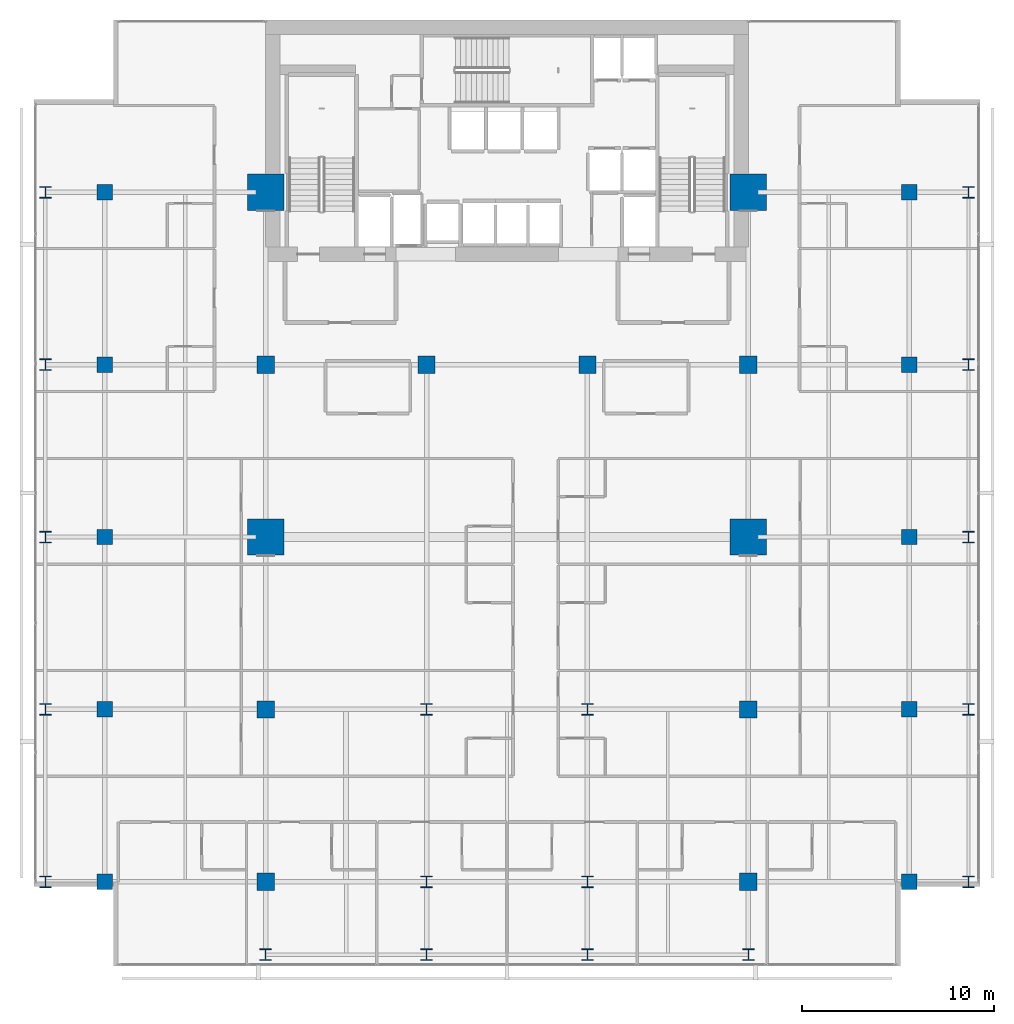
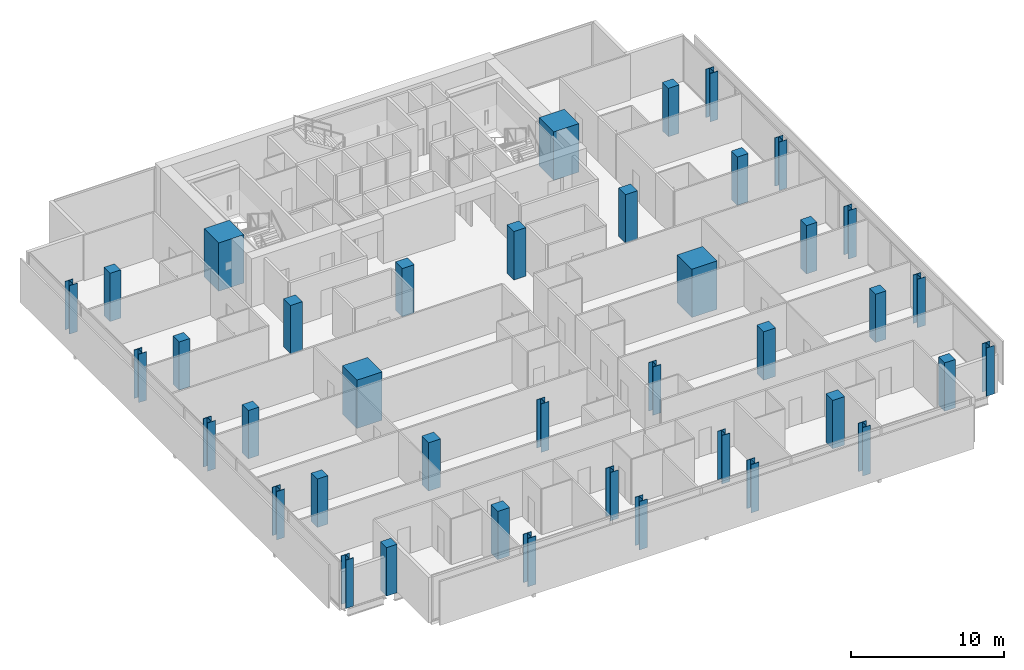
# One storey, part 1 of 33: 40 columns.
"""IFC4 building model written with IfcOpenShell, lengths in metres."""

from ifc_helpers import new_model, si_unit, direction, frame, origin, origin_2d, place, context, subcontext, project, spatial, rectangle, i_section, extrude, material, material_profile, profile_set, type_object, element, save


model = new_model("IFC4")

# Units and contexts
model_context = context("Model", 3, precision=1e-05, world=origin(), true_north=direction((0.0, 1.0)))
body_context = subcontext(model_context, "Body", "Model", "MODEL_VIEW")
ifc_project = project(units=[si_unit("LENGTHUNIT", "METRE"), si_unit("AREAUNIT", "SQUARE_METRE"), si_unit("VOLUMEUNIT", "CUBIC_METRE"), si_unit("PLANEANGLEUNIT", "RADIAN"), si_unit("MASSUNIT", "GRAM", prefix="KILO")], contexts=[model_context])

# Site, building, storey
site_placement = place(None, origin())
site = spatial("IfcSite", under=ifc_project, at=site_placement, CompositionType="ELEMENT")
building_placement = place(site_placement, origin())
building = spatial("IfcBuilding", under=site, at=building_placement, Name="Maruvema Waterfront Hotel and Observation Tower", CompositionType="ELEMENT")
storey_placement = place(building_placement, frame((0.0, 0.0, 154.35009765625)))
storey = spatial("IfcBuildingStorey", under=building, at=storey_placement, Name="L37", CompositionType="ELEMENT", Elevation=154.35009765625)

# Columns
ifc_material_1 = material(Name="Concrete C80/95", Category="concrete")
ifc_material_profile_1 = material_profile(ifc_material_1, rectangle(XDim=1.89990234375, YDim=1.89990234375, at=origin_2d()), Name="MC1900x1900")
ifc_profile_set_1 = profile_set([ifc_material_profile_1], Name="Concrete C80/95")
column_type_1 = type_object("IfcColumnType", Name="Continuous Mega-Column MC1900x1900", PredefinedType="COLUMN", material=ifc_profile_set_1)
for number, where, z_axis, x_axis, name in (
    (1, (25.199951171875, 27.0, 0.0), (0.0, 0.0, 1.0), (1.0, 0.0, 0.0), "L37 Continuous Mega-Column MC-01"),
    (2, (50.39990234375, 27.0, 0.0), (0.0, 0.0, 1.0), (1.0, 0.0, 0.0), "L37 Continuous Mega-Column MC-02"),
    (3, (25.199951171875, 45.0, 0.0), (0.0, 0.0, 1.0), (1.0, 0.0, 0.0), "L37 Continuous Mega-Column MC-03"),
    (4, (50.39990234375, 45.0, 0.0), (0.0, 0.0, 1.0), (1.0, 0.0, 0.0), "L37 Continuous Mega-Column MC-04"),
):
    element("IfcColumn", number, at=place(storey_placement, frame(where, z_axis=z_axis, x_axis=x_axis)), inside=storey, type_object=column_type_1, Name=name, PredefinedType="COLUMN", context=body_context, shape_type="SweptSolid", body=[
        extrude(rectangle(XDim=1.89990234375, YDim=1.89990234375, at=origin_2d()), origin(), (0.0, 0.0, 1.0), 3.849853515625),
    ])
ifc_material_2 = material(Name="Concrete C60/75", Category="concrete")
ifc_material_profile_2 = material_profile(ifc_material_2, rectangle(XDim=0.800048828125, YDim=0.800048828125, at=origin_2d()), Name="RC800x800")
ifc_profile_set_2 = profile_set([ifc_material_profile_2], Name="Concrete C60/75")
column_type_2 = type_object("IfcColumnType", Name="Reinforced Concrete Column RC800x800", PredefinedType="COLUMN", material=ifc_profile_set_2)
for number, where, z_axis, x_axis, name in (
    (5, (16.800048828125, 9.0, 0.0), (0.0, 0.0, 1.0), (1.0, 0.0, 0.0), "L37 Column C-3Y9"),
    (6, (58.800048828125, 9.0, 0.0), (0.0, 0.0, 1.0), (1.0, 0.0, 0.0), "L37 Column C-8Y9"),
    (7, (16.800048828125, 18.0, 0.0), (0.0, 0.0, 1.0), (1.0, 0.0, 0.0), "L37 Column C-3Y18"),
    (8, (58.800048828125, 18.0, 0.0), (0.0, 0.0, 1.0), (1.0, 0.0, 0.0), "L37 Column C-8Y18"),
    (9, (16.800048828125, 27.0, 0.0), (0.0, 0.0, 1.0), (1.0, 0.0, 0.0), "L37 Column C-3Y27"),
    (10, (58.800048828125, 27.0, 0.0), (0.0, 0.0, 1.0), (1.0, 0.0, 0.0), "L37 Column C-8Y27"),
    (11, (16.800048828125, 36.0, 0.0), (0.0, 0.0, 1.0), (1.0, 0.0, 0.0), "L37 Column C-3Y36"),
    (12, (58.800048828125, 36.0, 0.0), (0.0, 0.0, 1.0), (1.0, 0.0, 0.0), "L37 Column C-8Y36"),
    (13, (16.800048828125, 45.0, 0.0), (0.0, 0.0, 1.0), (1.0, 0.0, 0.0), "L37 Column C-3Y45"),
    (14, (58.800048828125, 45.0, 0.0), (0.0, 0.0, 1.0), (1.0, 0.0, 0.0), "L37 Column C-8Y45"),
):
    element("IfcColumn", number, at=place(storey_placement, frame(where, z_axis=z_axis, x_axis=x_axis)), inside=storey, type_object=column_type_2, Name=name, PredefinedType="COLUMN", context=body_context, shape_type="SweptSolid", body=[
        extrude(rectangle(XDim=0.800048828125, YDim=0.800048828125, at=origin_2d()), origin(), (0.0, 0.0, 1.0), 3.849853515625),
    ])
ifc_material_3 = material(Name="Concrete C60/75", Category="concrete")
ifc_material_profile_3 = material_profile(ifc_material_3, rectangle(XDim=0.89990234375, YDim=0.89990234375, at=origin_2d()), Name="RC900x900")
ifc_profile_set_3 = profile_set([ifc_material_profile_3], Name="Concrete C60/75")
column_type_3 = type_object("IfcColumnType", Name="Reinforced Concrete Column RC900x900", PredefinedType="COLUMN", material=ifc_profile_set_3)
for number, where, z_axis, x_axis, name in (
    (15, (25.199951171875, 36.0, 0.0), (0.0, 0.0, 1.0), (1.0, 0.0, 0.0), "L37 Column C-4E"),
    (16, (33.60009765625, 36.0, 0.0), (0.0, 0.0, 1.0), (1.0, 0.0, 0.0), "L37 Column C-5E"),
    (17, (42.0, 36.0, 0.0), (0.0, 0.0, 1.0), (1.0, 0.0, 0.0), "L37 Column C-6E"),
    (18, (50.39990234375, 36.0, 0.0), (0.0, 0.0, 1.0), (1.0, 0.0, 0.0), "L37 Column C-7E"),
    (19, (25.199951171875, 18.0, 0.0), (0.0, 0.0, 1.0), (1.0, 0.0, 0.0), "L37 Column C-4C"),
    (20, (50.39990234375, 18.0, 0.0), (0.0, 0.0, 1.0), (1.0, 0.0, 0.0), "L37 Column C-7C"),
    (21, (25.199951171875, 9.0, 0.0), (0.0, 0.0, 1.0), (1.0, 0.0, 0.0), "L37 Column C-4B"),
    (22, (50.39990234375, 9.0, 0.0), (0.0, 0.0, 1.0), (1.0, 0.0, 0.0), "L37 Column C-7B"),
):
    element("IfcColumn", number, at=place(storey_placement, frame(where, z_axis=z_axis, x_axis=x_axis)), inside=storey, type_object=column_type_3, Name=name, PredefinedType="COLUMN", context=body_context, shape_type="SweptSolid", body=[
        extrude(rectangle(XDim=0.89990234375, YDim=0.89990234375, at=origin_2d()), origin(), (0.0, 0.0, 1.0), 3.849853515625),
    ])
ifc_material_4 = material(Name="Steel ABNT NBR 7007 AR 415 (ASTM A572 Grade 50)", Category="steel")
ifc_material_profile_4 = material_profile(ifc_material_4, i_section(OverallWidth=0.60009765625, OverallDepth=0.60009765625, WebThickness=0.02490234375, FlangeThickness=0.0380859375, at=origin_2d()), Name="CVS600x317")
ifc_profile_set_4 = profile_set([ifc_material_profile_4], Name="Steel ABNT NBR 7007 AR 415 (ASTM A572 Grade 50)")
column_type_4 = type_object("IfcColumnType", Name="Structural Steel Column CVS600x317", PredefinedType="COLUMN", material=ifc_profile_set_4)
for number, where, z_axis, x_axis, name in (
    (23, (33.60009765625, 9.0, 0.0), (0.0, 0.0, 1.0), (1.0, 0.0, 0.0), "L37 Column C-5B"),
    (24, (42.0, 9.0, 0.0), (0.0, 0.0, 1.0), (1.0, 0.0, 0.0), "L37 Column C-6B"),
    (25, (33.60009765625, 18.0, 0.0), (0.0, 0.0, 1.0), (1.0, 0.0, 0.0), "L37 Column C-5C"),
    (26, (42.0, 18.0, 0.0), (0.0, 0.0, 1.0), (1.0, 0.0, 0.0), "L37 Column C-6C"),
    (27, (13.699951171875, 9.0, 0.0), (0.0, 0.0, 1.0), (1.0, 0.0, 0.0), "L37 Column C-Z2W9"),
    (28, (61.89990234375, 9.0, 0.0), (0.0, 0.0, 1.0), (1.0, 0.0, 0.0), "L37 Column C-Z2E9"),
    (29, (13.699951171875, 18.0, 0.0), (0.0, 0.0, 1.0), (1.0, 0.0, 0.0), "L37 Column C-Z2W18"),
    (30, (61.89990234375, 18.0, 0.0), (0.0, 0.0, 1.0), (1.0, 0.0, 0.0), "L37 Column C-Z2E18"),
    (31, (13.699951171875, 27.0, 0.0), (0.0, 0.0, 1.0), (1.0, 0.0, 0.0), "L37 Column C-Z2W27"),
    (32, (61.89990234375, 27.0, 0.0), (0.0, 0.0, 1.0), (1.0, 0.0, 0.0), "L37 Column C-Z2E27"),
    (33, (13.699951171875, 36.0, 0.0), (0.0, 0.0, 1.0), (1.0, 0.0, 0.0), "L37 Column C-Z2W36"),
    (34, (61.89990234375, 36.0, 0.0), (0.0, 0.0, 1.0), (1.0, 0.0, 0.0), "L37 Column C-Z2E36"),
    (35, (13.699951171875, 45.0, 0.0), (0.0, 0.0, 1.0), (1.0, 0.0, 0.0), "L37 Column C-Z2W45"),
    (36, (61.89990234375, 45.0, 0.0), (0.0, 0.0, 1.0), (1.0, 0.0, 0.0), "L37 Column C-Z2E45"),
    (37, (25.199951171875, 5.199951171875, 0.0), (0.0, 0.0, 1.0), (1.0, 0.0, 0.0), "L37 Column C-Z2S4"),
    (38, (33.60009765625, 5.199951171875, 0.0), (0.0, 0.0, 1.0), (1.0, 0.0, 0.0), "L37 Column C-Z2S5"),
    (39, (42.0, 5.199951171875, 0.0), (0.0, 0.0, 1.0), (1.0, 0.0, 0.0), "L37 Column C-Z2S6"),
    (40, (50.39990234375, 5.199951171875, 0.0), (0.0, 0.0, 1.0), (1.0, 0.0, 0.0), "L37 Column C-Z2S7"),
):
    element("IfcColumn", number, at=place(storey_placement, frame(where, z_axis=z_axis, x_axis=x_axis)), inside=storey, type_object=column_type_4, Name=name, PredefinedType="COLUMN", context=body_context, shape_type="SweptSolid", body=[
        extrude(i_section(OverallWidth=0.60009765625, OverallDepth=0.60009765625, WebThickness=0.02490234375, FlangeThickness=0.0380859375, at=origin_2d()), origin(), (0.0, 0.0, 1.0), 3.849853515625),
    ])

save(model, "model.ifc")
